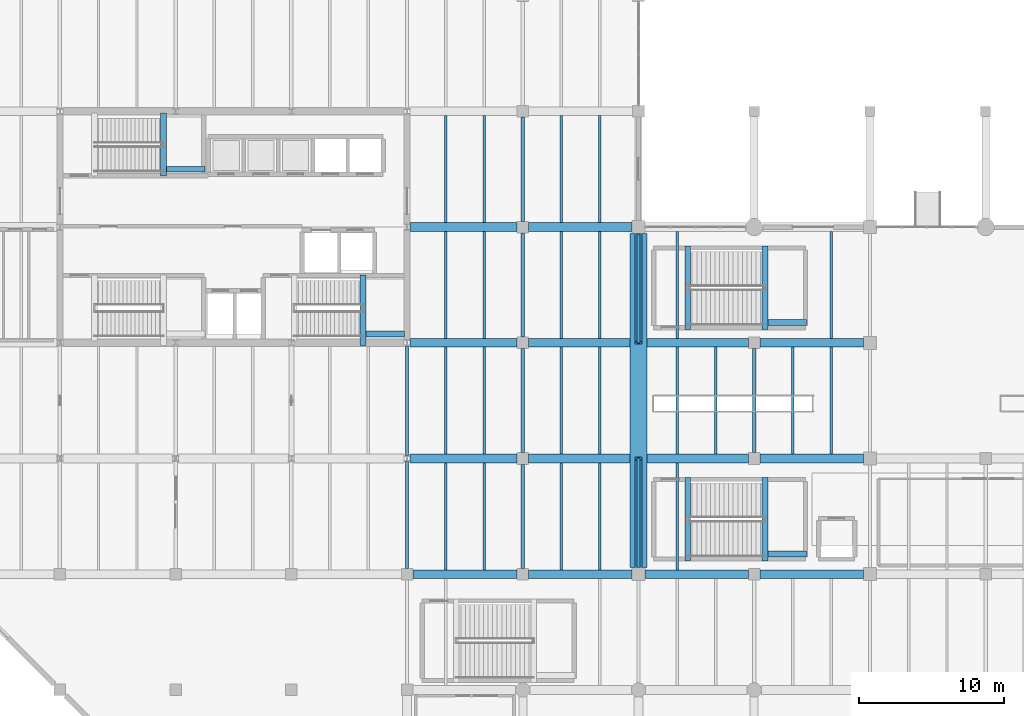
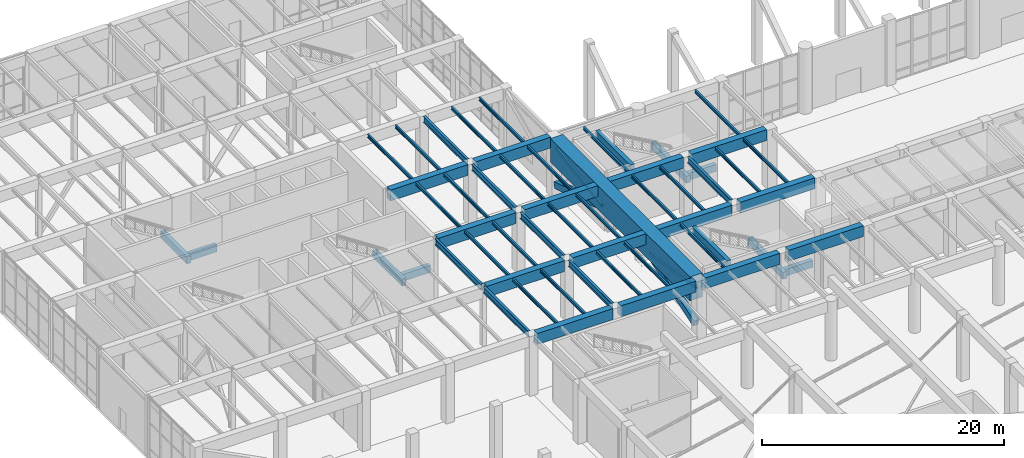
# One storey, part 11 of 51: 55 beams, 4 members.
"""IFC4 building model written with IfcOpenShell, lengths in metres."""

from ifc_helpers import new_model, si_unit, direction, frame, origin, origin_2d, place, context, subcontext, project, spatial, rectangle, hollow_rectangle, i_section, extrude, material, material_profile, profile_set, type_object, element, save


model = new_model("IFC4")

# Units and contexts
model_context = context("Model", 3, precision=1e-05, world=origin(), true_north=direction((0.0, 1.0)))
body_context = subcontext(model_context, "Body", "Model", "MODEL_VIEW")
ifc_project = project(units=[si_unit("LENGTHUNIT", "METRE"), si_unit("AREAUNIT", "SQUARE_METRE"), si_unit("VOLUMEUNIT", "CUBIC_METRE"), si_unit("PLANEANGLEUNIT", "RADIAN"), si_unit("MASSUNIT", "GRAM", prefix="KILO")], contexts=[model_context])

# Site, building, storey
site_placement = place(None, origin())
site = spatial("IfcSite", under=ifc_project, at=site_placement, CompositionType="ELEMENT")
building_placement = place(site_placement, origin())
building = spatial("IfcBuilding", under=site, at=building_placement, Name="Varnela Railside Interchange", CompositionType="ELEMENT")
storey_placement = place(building_placement, origin())
storey = spatial("IfcBuildingStorey", under=building, at=storey_placement, Name="L00", CompositionType="ELEMENT", Elevation=0.0)

# Beams
ifc_material_1 = material(Name="Steel AR 350 (350 MPa)", Category="steel")
ifc_material_profile_1 = material_profile(ifc_material_1, i_section(OverallWidth=0.1669921875, OverallDepth=0.31689453125, WebThickness=0.007568359375, FlangeThickness=0.01318359375, at=origin_2d()), Name="W310x52")
ifc_profile_set_1 = profile_set([ifc_material_profile_1], Name="Steel AR 350 (350 MPa)")
beam_type_1 = type_object("IfcBeamType", Name="Composite Long-Span Joist J-03", PredefinedType="JOIST", material=ifc_profile_set_1)
for number, where, z_axis, x_axis, name in (
    (1, (38.669921875, 38.300048828125, 5.861572265625), (0.0, 1.0, 0.0), (-1.0, 0.0, 0.0), "Composite Long-Span Joist J-03 (L00) (BM-1145)"),
    (2, (41.330078125, 38.300048828125, 5.861572265625), (0.0, 1.0, 0.0), (-1.0, 0.0, 0.0), "Composite Long-Span Joist J-03 (L00) (BM-1146)"),
    (3, (38.669921875, 46.300048828125, 5.861572265625), (0.0, 1.0, 0.0), (-1.0, 0.0, 0.0), "Composite Long-Span Joist J-03 (L00) (BM-1147)"),
    (4, (41.330078125, 46.300048828125, 5.861572265625), (0.0, 1.0, 0.0), (-1.0, 0.0, 0.0), "Composite Long-Span Joist J-03 (L00) (BM-1148)"),
    (5, (38.669921875, 54.300048828125, 5.861572265625), (0.0, 1.0, 0.0), (-1.0, 0.0, 0.0), "Composite Long-Span Joist J-03 (L00) (BM-1149)"),
    (6, (41.330078125, 54.300048828125, 5.861572265625), (0.0, 1.0, 0.0), (-1.0, 0.0, 0.0), "Composite Long-Span Joist J-03 (L00) (BM-1150)"),
    (7, (38.669921875, 62.300048828125, 5.861572265625), (0.0, 1.0, 0.0), (-1.0, 0.0, 0.0), "Composite Long-Span Joist J-03 (L00) (BM-1151)"),
    (8, (41.330078125, 62.300048828125, 5.861572265625), (0.0, 1.0, 0.0), (-1.0, 0.0, 0.0), "Composite Long-Span Joist J-03 (L00) (BM-1152)"),
    (9, (46.669921875, 38.300048828125, 5.861572265625), (0.0, 1.0, 0.0), (-1.0, 0.0, 0.0), "Composite Long-Span Joist J-03 (L00) (BM-1159)"),
    (10, (49.330078125, 38.300048828125, 5.861572265625), (0.0, 1.0, 0.0), (-1.0, 0.0, 0.0), "Composite Long-Span Joist J-03 (L00) (BM-1160)"),
    (11, (46.669921875, 46.300048828125, 5.861572265625), (0.0, 1.0, 0.0), (-1.0, 0.0, 0.0), "Composite Long-Span Joist J-03 (L00) (BM-1161)"),
    (12, (49.330078125, 46.300048828125, 5.861572265625), (0.0, 1.0, 0.0), (-1.0, 0.0, 0.0), "Composite Long-Span Joist J-03 (L00) (BM-1162)"),
    (13, (46.669921875, 54.300048828125, 5.861572265625), (0.0, 1.0, 0.0), (-1.0, 0.0, 0.0), "Composite Long-Span Joist J-03 (L00) (BM-1163)"),
    (14, (49.330078125, 54.300048828125, 5.861572265625), (0.0, 1.0, 0.0), (-1.0, 0.0, 0.0), "Composite Long-Span Joist J-03 (L00) (BM-1164)"),
    (15, (46.669921875, 62.300048828125, 5.861572265625), (0.0, 1.0, 0.0), (-1.0, 0.0, 0.0), "Composite Long-Span Joist J-03 (L00) (BM-1165)"),
    (16, (49.330078125, 62.300048828125, 5.861572265625), (0.0, 1.0, 0.0), (-1.0, 0.0, 0.0), "Composite Long-Span Joist J-03 (L00) (BM-1166)"),
    (17, (54.669921875, 38.300048828125, 5.861572265625), (0.0, 1.0, 0.0), (-1.0, 0.0, 0.0), "Composite Long-Span Joist J-03 (L00) (BM-1172)"),
    (18, (54.669921875, 46.300048828125, 5.861572265625), (0.0, 1.0, 0.0), (-1.0, 0.0, 0.0), "Composite Long-Span Joist J-03 (L00) (BM-1173)"),
    (19, (57.330078125, 46.300048828125, 5.861572265625), (0.0, 1.0, 0.0), (-1.0, 0.0, 0.0), "Composite Long-Span Joist J-03 (L00) (BM-1174)"),
    (20, (54.669921875, 54.300048828125, 5.861572265625), (0.0, 1.0, 0.0), (-1.0, 0.0, 0.0), "Composite Long-Span Joist J-03 (L00) (BM-1175)"),
    (21, (62.669921875, 46.300048828125, 5.861572265625), (0.0, 1.0, 0.0), (-1.0, 0.0, 0.0), "Composite Long-Span Joist J-03 (L00) (BM-1178)"),
    (22, (65.330078125, 46.300048828125, 5.861572265625), (0.0, 1.0, 0.0), (-1.0, 0.0, 0.0), "Composite Long-Span Joist J-03 (L00) (BM-1179)"),
    (23, (65.330078125, 54.300048828125, 5.861572265625), (0.0, 1.0, 0.0), (-1.0, 0.0, 0.0), "Composite Long-Span Joist J-03 (L00) (BM-1180)"),
):
    element("IfcBeam", number, at=place(storey_placement, frame(where, z_axis=z_axis, x_axis=x_axis)), inside=storey, type_object=beam_type_1, Name=name, PredefinedType="JOIST", context=body_context, shape_type="SweptSolid", body=[
        extrude(i_section(OverallWidth=0.1669921875, OverallDepth=0.31689453125, WebThickness=0.007568359375, FlangeThickness=0.01318359375, at=origin_2d()), origin(), (0.0, 0.0, 1.0), 7.39990234375),
    ])
ifc_material_2 = material(Name="Concrete C50", Category="concrete")
ifc_material_profile_2 = material_profile(ifc_material_2, rectangle(XDim=0.60009765625, YDim=1.10009765625, at=origin_2d()), Name="RC 600x1100")
ifc_profile_set_2 = profile_set([ifc_material_profile_2], Name="Concrete C50")
beam_type_2 = type_object("IfcBeamType", Name="Concourse RC Girder B-06", PredefinedType="BEAM", material=ifc_profile_set_2)
beam_1_placement = place(storey_placement, frame((36.39990234375, 38.0, 5.469970703125), z_axis=(1.0, 0.0, 0.0), x_axis=(0.0, 1.0, 0.0)))
element("IfcBeam", 24, at=beam_1_placement, inside=storey, type_object=beam_type_2, Name="Concourse RC Girder B-06 (L00) (BM-1212)", PredefinedType="BEAM", context=body_context, shape_type="SweptSolid", body=[
    extrude(rectangle(XDim=0.60009765625, YDim=1.10009765625, at=origin_2d()), origin(), (0.0, 0.0, 1.0), 7.2001953125),
])
for number, where, z_axis, x_axis, name in (
    (25, (44.39990234375, 38.0, 5.469970703125), (1.0, 0.0, 0.0), (0.0, 1.0, 0.0), "Concourse RC Girder B-06 (L00) (BM-1213)"),
    (26, (52.449951171875, 38.0, 5.469970703125), (1.0, 0.0, 0.0), (0.0, 1.0, 0.0), "Concourse RC Girder B-06 (L00) (BM-1215)"),
    (27, (60.39990234375, 38.0, 5.469970703125), (1.0, 0.0, 0.0), (0.0, 1.0, 0.0), "Concourse RC Girder B-06 (L00) (BM-1216)"),
):
    element("IfcBeam", number, at=place(storey_placement, frame(where, z_axis=z_axis, x_axis=x_axis)), inside=storey, type_object=beam_type_2, Name=name, PredefinedType="BEAM", context=body_context, shape_type="SweptSolid", body=[
        extrude(rectangle(XDim=0.60009765625, YDim=1.10009765625, at=origin_2d()), origin(), (0.0, 0.0, 1.0), 7.150146484375),
    ])
beam_2_placement = place(storey_placement, frame((36.200439453125, 46.0, 5.469970703125), z_axis=(1.0, 0.0, 0.0), x_axis=(0.0, 1.0, 0.0)))
element("IfcBeam", 28, at=beam_2_placement, inside=storey, type_object=beam_type_2, Name="Concourse RC Girder B-06 (L00) (BM-1232)", PredefinedType="BEAM", context=body_context, shape_type="SweptSolid", body=[
    extrude(rectangle(XDim=0.60009765625, YDim=1.10009765625, at=origin_2d()), origin(), (0.0, 0.0, 1.0), 7.399658203125),
])
for number, where, z_axis, x_axis, name in (
    (29, (44.39990234375, 46.0, 5.469970703125), (1.0, 0.0, 0.0), (0.0, 1.0, 0.0), "Concourse RC Girder B-06 (L00) (BM-1233)"),
    (30, (52.60009765625, 46.0, 5.469970703125), (1.0, 0.0, 0.0), (0.0, 1.0, 0.0), "Concourse RC Girder B-06 (L00) (BM-1235)"),
):
    element("IfcBeam", number, at=place(storey_placement, frame(where, z_axis=z_axis, x_axis=x_axis)), inside=storey, type_object=beam_type_2, Name=name, PredefinedType="BEAM", context=body_context, shape_type="SweptSolid", body=[
        extrude(rectangle(XDim=0.60009765625, YDim=1.10009765625, at=origin_2d()), origin(), (0.0, 0.0, 1.0), 7.0),
    ])
beam_3_placement = place(storey_placement, frame((60.39990234375, 46.0, 5.469970703125), z_axis=(1.0, 0.0, 0.0), x_axis=(0.0, 1.0, 0.0)))
element("IfcBeam", 31, at=beam_3_placement, inside=storey, type_object=beam_type_2, Name="Concourse RC Girder B-06 (L00) (BM-1236)", PredefinedType="BEAM", context=body_context, shape_type="SweptSolid", body=[
    extrude(rectangle(XDim=0.60009765625, YDim=1.10009765625, at=origin_2d()), origin(), (0.0, 0.0, 1.0), 7.150146484375),
])
beam_4_placement = place(storey_placement, frame((36.202880859375, 54.0, 5.469970703125), z_axis=(1.0, 0.0, 0.0), x_axis=(0.0, 1.0, 0.0)))
element("IfcBeam", 32, at=beam_4_placement, inside=storey, type_object=beam_type_2, Name="Concourse RC Girder B-06 (L00) (BM-1249)", PredefinedType="BEAM", context=body_context, shape_type="SweptSolid", body=[
    extrude(rectangle(XDim=0.60009765625, YDim=1.10009765625, at=origin_2d()), origin(), (0.0, 0.0, 1.0), 7.397216796875),
])
for number, where, z_axis, x_axis, name in (
    (33, (44.39990234375, 54.0, 5.469970703125), (1.0, 0.0, 0.0), (0.0, 1.0, 0.0), "Concourse RC Girder B-06 (L00) (BM-1250)"),
    (34, (52.60009765625, 54.0, 5.469970703125), (1.0, 0.0, 0.0), (0.0, 1.0, 0.0), "Concourse RC Girder B-06 (L00) (BM-1252)"),
):
    element("IfcBeam", number, at=place(storey_placement, frame(where, z_axis=z_axis, x_axis=x_axis)), inside=storey, type_object=beam_type_2, Name=name, PredefinedType="BEAM", context=body_context, shape_type="SweptSolid", body=[
        extrude(rectangle(XDim=0.60009765625, YDim=1.10009765625, at=origin_2d()), origin(), (0.0, 0.0, 1.0), 7.0),
    ])
beam_5_placement = place(storey_placement, frame((60.39990234375, 54.0, 5.469970703125), z_axis=(1.0, 0.0, 0.0), x_axis=(0.0, 1.0, 0.0)))
element("IfcBeam", 35, at=beam_5_placement, inside=storey, type_object=beam_type_2, Name="Concourse RC Girder B-06 (L00) (BM-1253)", PredefinedType="BEAM", context=body_context, shape_type="SweptSolid", body=[
    extrude(rectangle(XDim=0.60009765625, YDim=1.10009765625, at=origin_2d()), origin(), (0.0, 0.0, 1.0), 7.150146484375),
])
beam_6_placement = place(storey_placement, frame((36.202880859375, 62.0, 5.469970703125), z_axis=(1.0, 0.0, 0.0), x_axis=(0.0, 1.0, 0.0)))
element("IfcBeam", 36, at=beam_6_placement, inside=storey, type_object=beam_type_2, Name="Concourse RC Girder B-06 (L00) (BM-1262)", PredefinedType="BEAM", context=body_context, shape_type="SweptSolid", body=[
    extrude(rectangle(XDim=0.60009765625, YDim=1.10009765625, at=origin_2d()), origin(), (0.0, 0.0, 1.0), 7.397216796875),
])
beam_7_placement = place(storey_placement, frame((44.39990234375, 62.0, 5.469970703125), z_axis=(1.0, 0.0, 0.0), x_axis=(0.0, 1.0, 0.0)))
element("IfcBeam", 37, at=beam_7_placement, inside=storey, type_object=beam_type_2, Name="Concourse RC Girder B-06 (L00) (BM-1263)", PredefinedType="BEAM", context=body_context, shape_type="SweptSolid", body=[
    extrude(rectangle(XDim=0.60009765625, YDim=1.10009765625, at=origin_2d()), origin(), (0.0, 0.0, 1.0), 7.150146484375),
])
ifc_material_3 = material(Name="Concrete C40", Category="concrete")
ifc_material_profile_3 = material_profile(ifc_material_3, rectangle(XDim=0.39990234375, YDim=0.699951171875, at=origin_2d()), Name="RC 400x700")
ifc_profile_set_3 = profile_set([ifc_material_profile_3], Name="Concrete C40")
beam_type_3 = type_object("IfcBeamType", Name="Concrete Tie Beam B-01", PredefinedType="BEAM", material=ifc_profile_set_3)
beam_8_placement = place(storey_placement, frame((32.9599609375, 53.820068359375, 2.639892578125), z_axis=(0.0, 1.0, 0.0), x_axis=(-1.0, 0.0, 0.0)))
element("IfcBeam", 38, at=beam_8_placement, inside=storey, type_object=beam_type_3, Name="Concrete Tie Beam B-01 (L00) (BM-1442)", PredefinedType="BEAM", context=body_context, shape_type="SweptSolid", body=[
    extrude(rectangle(XDim=0.39990234375, YDim=0.699951171875, at=origin_2d()), origin(), (0.0, 0.0, 1.0), 4.85986328125),
])
beam_9_placement = place(storey_placement, frame((33.159912109375, 54.60009765625, 2.639892578125), z_axis=(1.0, 0.0, 0.0), x_axis=(0.0, 1.0, 0.0)))
element("IfcBeam", 39, at=beam_9_placement, inside=storey, type_object=beam_type_3, Name="Concrete Tie Beam B-01 (L00) (BM-1429)", PredefinedType="BEAM", context=body_context, shape_type="SweptSolid", body=[
    extrude(rectangle(XDim=0.39990234375, YDim=0.699951171875, at=origin_2d()), origin(), (0.0, 0.0, 1.0), 2.66015625),
])
beam_10_placement = place(storey_placement, frame((19.159912109375, 65.52001953125, 2.639892578125), z_axis=(0.0, 1.0, 0.0), x_axis=(-1.0, 0.0, 0.0)))
element("IfcBeam", 40, at=beam_10_placement, inside=storey, type_object=beam_type_3, Name="Concrete Tie Beam B-01 (L00) (BM-1443)", PredefinedType="BEAM", context=body_context, shape_type="SweptSolid", body=[
    extrude(rectangle(XDim=0.39990234375, YDim=0.699951171875, at=origin_2d()), origin(), (0.0, 0.0, 1.0), 4.35986328125),
])
beam_11_placement = place(storey_placement, frame((19.360107421875, 66.0, 2.639892578125), z_axis=(1.0, 0.0, 0.0), x_axis=(0.0, 1.0, 0.0)))
element("IfcBeam", 41, at=beam_11_placement, inside=storey, type_object=beam_type_3, Name="Concrete Tie Beam B-01 (L00) (BM-1430)", PredefinedType="BEAM", context=body_context, shape_type="SweptSolid", body=[
    extrude(rectangle(XDim=0.39990234375, YDim=0.699951171875, at=origin_2d()), origin(), (0.0, 0.0, 1.0), 2.659912109375),
])
for number, where, z_axis, x_axis, name in (
    (42, (55.39990234375, 38.919921875, 5.669921875), (0.0, 1.0, 0.0), (-1.0, 0.0, 0.0), "Concrete Tie Beam B-01 (L00) (BM-1445)"),
    (43, (60.7548828125, 38.919921875, 2.639892578125), (0.0, 1.0, 0.0), (-1.0, 0.0, 0.0), "Concrete Tie Beam B-01 (L00) (BM-1432)"),
):
    element("IfcBeam", number, at=place(storey_placement, frame(where, z_axis=z_axis, x_axis=x_axis)), inside=storey, type_object=beam_type_3, Name=name, PredefinedType="BEAM", context=body_context, shape_type="SweptSolid", body=[
        extrude(rectangle(XDim=0.39990234375, YDim=0.699951171875, at=origin_2d()), origin(), (0.0, 0.0, 1.0), 5.760009765625),
    ])
beam_12_placement = place(storey_placement, frame((60.955078125, 39.39990234375, 2.639892578125), z_axis=(1.0, 0.0, 0.0), x_axis=(0.0, 1.0, 0.0)))
element("IfcBeam", 44, at=beam_12_placement, inside=storey, type_object=beam_type_3, Name="Concrete Tie Beam B-01 (L00) (BM-1419)", PredefinedType="BEAM", context=body_context, shape_type="SweptSolid", body=[
    extrude(rectangle(XDim=0.39990234375, YDim=0.699951171875, at=origin_2d()), origin(), (0.0, 0.0, 1.0), 2.6650390625),
])
for number, where, z_axis, x_axis, name in (
    (45, (55.39990234375, 54.919921875, 5.669921875), (0.0, 1.0, 0.0), (-1.0, 0.0, 0.0), "Concrete Tie Beam B-01 (L00) (BM-1447)"),
    (46, (60.7548828125, 54.919921875, 2.639892578125), (0.0, 1.0, 0.0), (-1.0, 0.0, 0.0), "Concrete Tie Beam B-01 (L00) (BM-1434)"),
):
    element("IfcBeam", number, at=place(storey_placement, frame(where, z_axis=z_axis, x_axis=x_axis)), inside=storey, type_object=beam_type_3, Name=name, PredefinedType="BEAM", context=body_context, shape_type="SweptSolid", body=[
        extrude(rectangle(XDim=0.39990234375, YDim=0.699951171875, at=origin_2d()), origin(), (0.0, 0.0, 1.0), 5.760009765625),
    ])
beam_13_placement = place(storey_placement, frame((60.955078125, 55.39990234375, 2.639892578125), z_axis=(1.0, 0.0, 0.0), x_axis=(0.0, 1.0, 0.0)))
element("IfcBeam", 47, at=beam_13_placement, inside=storey, type_object=beam_type_3, Name="Concrete Tie Beam B-01 (L00) (BM-1421)", PredefinedType="BEAM", context=body_context, shape_type="SweptSolid", body=[
    extrude(rectangle(XDim=0.39990234375, YDim=0.699951171875, at=origin_2d()), origin(), (0.0, 0.0, 1.0), 2.6650390625),
])
ifc_material_profile_4 = material_profile(ifc_material_1, i_section(OverallWidth=0.22900390625, OverallDepth=0.612060546875, WebThickness=0.011962890625, FlangeThickness=0.01953125, at=origin_2d()), Name="W610x125")
ifc_profile_set_4 = profile_set([ifc_material_profile_4], Name="Steel AR 350 (350 MPa)")
beam_type_4 = type_object("IfcBeamType", Name="Podium Composite Girder B-15", PredefinedType="BEAM", material=ifc_profile_set_4)
beam_14_placement = place(storey_placement, frame((36.0, 38.39990234375, 5.714111328125), z_axis=(0.0, 1.0, 0.0), x_axis=(-1.0, 0.0, 0.0)))
element("IfcBeam", 48, at=beam_14_placement, inside=storey, type_object=beam_type_4, Name="Podium Composite Girder B-15 (L00) (BM-1370)", PredefinedType="BEAM", context=body_context, shape_type="SweptSolid", body=[
    extrude(i_section(OverallWidth=0.22900390625, OverallDepth=0.612060546875, WebThickness=0.011962890625, FlangeThickness=0.01953125, at=origin_2d()), origin(), (0.0, 0.0, 1.0), 7.400634765625),
])
beam_15_placement = place(storey_placement, frame((36.0, 46.199462890625, 5.714111328125), z_axis=(0.0, 1.0, 0.0), x_axis=(-1.0, 0.0, 0.0)))
element("IfcBeam", 49, at=beam_15_placement, inside=storey, type_object=beam_type_4, Name="Podium Composite Girder B-15 (L00) (BM-1371)", PredefinedType="BEAM", context=body_context, shape_type="SweptSolid", body=[
    extrude(i_section(OverallWidth=0.22900390625, OverallDepth=0.612060546875, WebThickness=0.011962890625, FlangeThickness=0.01953125, at=origin_2d()), origin(), (0.0, 0.0, 1.0), 7.592529296875),
])
for number, where, z_axis, x_axis, name in (
    (50, (44.0, 38.39990234375, 5.714111328125), (0.0, 1.0, 0.0), (-1.0, 0.0, 0.0), "Podium Composite Girder B-15 (L00) (BM-1375)"),
    (51, (44.0, 46.39990234375, 5.714111328125), (0.0, 1.0, 0.0), (-1.0, 0.0, 0.0), "Podium Composite Girder B-15 (L00) (BM-1376)"),
    (52, (44.0, 54.39990234375, 5.714111328125), (0.0, 1.0, 0.0), (-1.0, 0.0, 0.0), "Podium Composite Girder B-15 (L00) (BM-1377)"),
    (53, (44.0, 62.39990234375, 5.714111328125), (0.0, 1.0, 0.0), (-1.0, 0.0, 0.0), "Podium Composite Girder B-15 (L00) (BM-1378)"),
    (54, (60.0, 46.39990234375, 5.714111328125), (0.0, 1.0, 0.0), (-1.0, 0.0, 0.0), "Podium Composite Girder B-15 (L00) (BM-1387)"),
):
    element("IfcBeam", number, at=place(storey_placement, frame(where, z_axis=z_axis, x_axis=x_axis)), inside=storey, type_object=beam_type_4, Name=name, PredefinedType="BEAM", context=body_context, shape_type="SweptSolid", body=[
        extrude(i_section(OverallWidth=0.22900390625, OverallDepth=0.612060546875, WebThickness=0.011962890625, FlangeThickness=0.01953125, at=origin_2d()), origin(), (0.0, 0.0, 1.0), 7.2001953125),
    ])

# Members
ifc_material_profile_5 = material_profile(ifc_material_2, rectangle(XDim=0.5, YDim=0.64990234375, at=origin_2d()), Name="RC 500x650")
ifc_profile_set_5 = profile_set([ifc_material_profile_5], Name="Concrete C50")
member_type_1 = type_object("IfcMemberType", Name="Sculpted V-Pier Primary Strut VP-01", PredefinedType="STRUT", material=ifc_profile_set_5)
for number, where, z_axis, x_axis, name in (
    (55, (52.0, 38.449951171875, 1.199951171875), (0.0, 0.952272075209, 0.30525054427), (-1.0, 0.0, 0.0), "Sculpted V-Pier Primary Strut VP-01 (L00) (MB-0046)"),
    (56, (52.0, 61.550048828125, 1.199951171875), (0.0, -0.952272075209, 0.30525054427), (1.0, 0.0, 0.0), "Sculpted V-Pier Primary Strut VP-01 (L00) (MB-0047)"),
):
    element("IfcMember", number, at=place(storey_placement, frame(where, z_axis=z_axis, x_axis=x_axis)), inside=storey, type_object=member_type_1, Name=name, PredefinedType="STRUT", context=body_context, shape_type="SweptSolid", body=[
        extrude(rectangle(XDim=0.5, YDim=0.64990234375, at=origin_2d()), origin(), (0.0, 0.0, 1.0), 7.928466796875),
    ])

# Beam
ifc_material_profile_6 = material_profile(ifc_material_2, rectangle(XDim=1.199951171875, YDim=2.39990234375, at=origin_2d()), Name="RC 1200x2400")
ifc_profile_set_6 = profile_set([ifc_material_profile_6], Name="Concrete C50")
beam_type_5 = type_object("IfcBeamType", Name="Transfer Girder TG-01", PredefinedType="BEAM", material=ifc_profile_set_6)
beam_16_placement = place(storey_placement, frame((52.0, 38.449951171875, 4.820068359375), z_axis=(0.0, 1.0, 0.0), x_axis=(-1.0, 0.0, 0.0)))
element("IfcBeam", 57, at=beam_16_placement, inside=storey, type_object=beam_type_5, Name="Transfer Girder TG-01 (L00) (BM-1418)", PredefinedType="BEAM", context=body_context, shape_type="SweptSolid", body=[
    extrude(rectangle(XDim=1.199951171875, YDim=2.39990234375, at=origin_2d()), origin(), (0.0, 0.0, 1.0), 23.10009765625),
])

# Members
ifc_material_profile_7 = material_profile(ifc_material_1, hollow_rectangle(XDim=0.199951171875, YDim=0.300048828125, WallThickness=0.012451171875, at=origin_2d()), Name="HSS 300x200x12.5")
ifc_profile_set_7 = profile_set([ifc_material_profile_7], Name="Steel AR 350 (350 MPa)")
member_type_2 = type_object("IfcMemberType", Name="Transfer Portal Tie Strut BR-02", PredefinedType="STRUT", material=ifc_profile_set_7)
for number, where, z_axis, x_axis, name in (
    (58, (52.0, 38.449951171875, 4.820068359375), (0.0, 0.987604507649, -0.156962850609), (-1.0, 0.0, 0.0), "Transfer Portal Tie Strut BR-02 (L00) (MB-0044)"),
    (59, (52.0, 61.550048828125, 4.820068359375), (0.0, -0.987604507649, -0.156962850609), (1.0, 0.0, 0.0), "Transfer Portal Tie Strut BR-02 (L00) (MB-0045)"),
):
    element("IfcMember", number, at=place(storey_placement, frame(where, z_axis=z_axis, x_axis=x_axis)), inside=storey, type_object=member_type_2, Name=name, PredefinedType="STRUT", context=body_context, shape_type="SweptSolid", body=[
        extrude(hollow_rectangle(XDim=0.199951171875, YDim=0.300048828125, WallThickness=0.012451171875, at=origin_2d()), origin(), (0.0, 0.0, 1.0), 7.644775390625),
    ])

save(model, "model.ifc")
